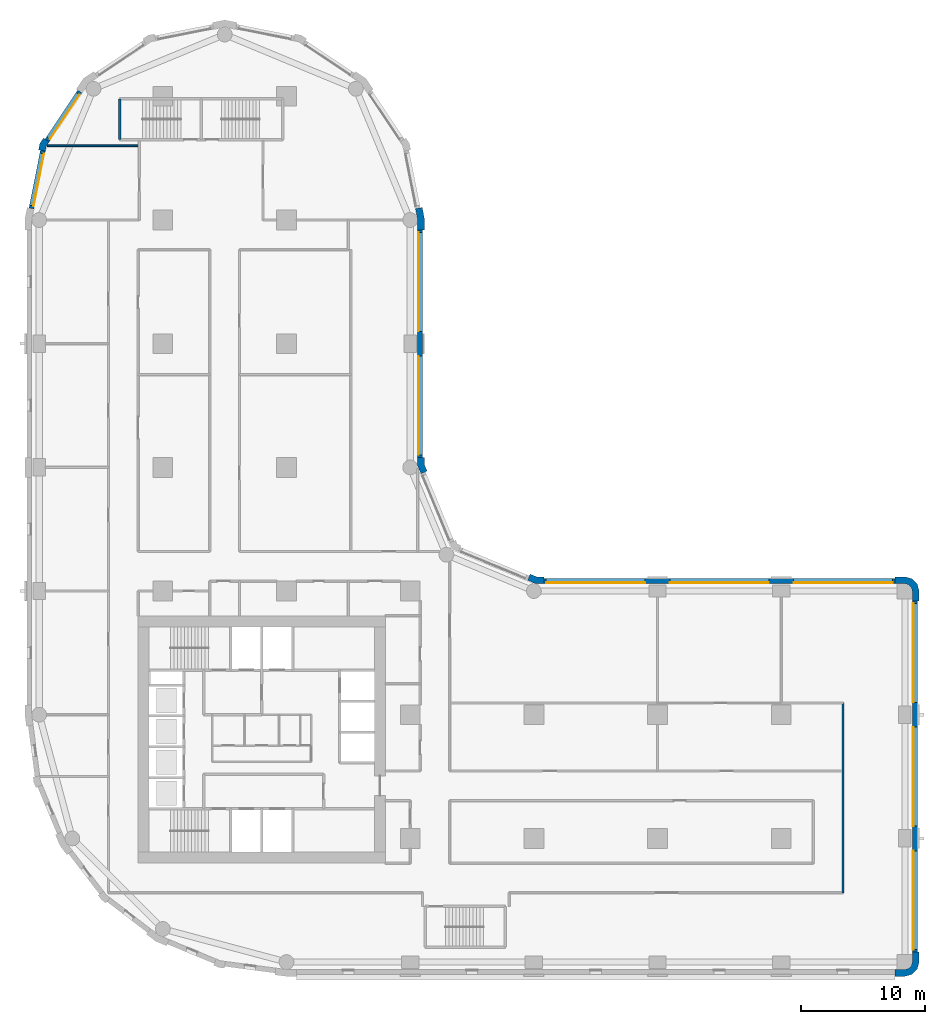
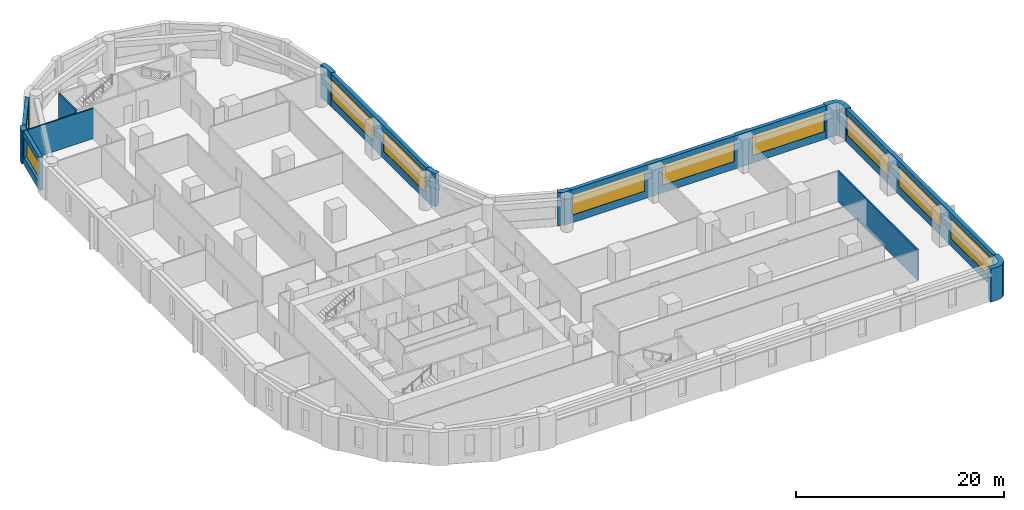
# One storey, part 6 of 10: 14 walls, 10 windows, 10 openings.
"""IFC4 building model written with IfcOpenShell, lengths in metres."""

from ifc_helpers import new_model, si_unit, direction, frame, frame_2d, origin, place, context, subcontext, project, spatial, polyline, rectangle, outline, extrude, material, layer, layer_set, type_object, element, fill, save


model = new_model("IFC4")

# Units and contexts
model_context = context("Model", 3, precision=1e-05, world=origin(), true_north=direction((0.0, 1.0)))
body_context = subcontext(model_context, "Body", "Model", "MODEL_VIEW")
ifc_project = project(units=[si_unit("LENGTHUNIT", "METRE"), si_unit("AREAUNIT", "SQUARE_METRE"), si_unit("VOLUMEUNIT", "CUBIC_METRE"), si_unit("PLANEANGLEUNIT", "RADIAN"), si_unit("MASSUNIT", "GRAM", prefix="KILO")], contexts=[model_context])

# Site, building, storey
site_placement = place(None, origin())
site = spatial("IfcSite", under=ifc_project, at=site_placement, CompositionType="ELEMENT")
building_placement = place(site_placement, origin())
building = spatial("IfcBuilding", under=site, at=building_placement, Name="Qaws Garden Tower", CompositionType="ELEMENT")
storey_placement = place(building_placement, frame((0.0, 0.0, 15.89990234375)))
storey = spatial("IfcBuildingStorey", under=building, at=storey_placement, Name="L03", CompositionType="ELEMENT", Elevation=15.89990234375)

# Walls
ifc_material_1 = material(Name="Clay facing brick masonry", Category="masonry")
ifc_layer_1 = layer(ifc_material_1, 0.550048828125)
ifc_layer_set_1 = layer_set([ifc_layer_1], Name="Clay facing brick masonry")
wall_type_1 = type_object("IfcWallType", Name="Brick corner pier 550 x 2400", PredefinedType="SOLIDWALL", material=ifc_layer_set_1)
placement = place(storey_placement, origin())
element("IfcWall", 1, at=placement, inside=storey, type_object=wall_type_1, Name="E-L03-pier-05", PredefinedType="SOLIDWALL", context=body_context, shape_type="SweptSolid", body=[
    extrude(outline(polyline([(69.199951171875, -1.0), (69.199951171875, -1.14990234375), (70.0, -1.14990234375), (70.574951171875, -0.995849609375), (70.995849609375, -0.574951171875), (71.14990234375, 0.0), (71.14990234375, 0.800048828125), (71.0, 0.800048828125), (70.60009765625, 0.800048828125), (70.60009765625, 0.0), (70.51953125, -0.300048828125), (70.300048828125, -0.51953125), (70.0, -0.60009765625), (69.199951171875, -0.60009765625), (69.199951171875, -1.0)])), origin(), (0.0, 0.0, 1.0), 3.900146484375),
])
element("IfcWall", 2, at=placement, inside=storey, type_object=wall_type_1, Name="E-L03-pier-08", PredefinedType="SOLIDWALL", context=body_context, shape_type="SweptSolid", body=[
    extrude(outline(polyline([(71.0, 29.199951171875), (71.14990234375, 29.199951171875), (71.14990234375, 30.0), (70.995849609375, 30.574951171875), (70.574951171875, 30.995849609375), (70.0, 31.14990234375), (69.199951171875, 31.14990234375), (69.199951171875, 31.0), (69.199951171875, 30.60009765625), (70.0, 30.60009765625), (70.300048828125, 30.51953125), (70.51953125, 30.300048828125), (70.60009765625, 30.0), (70.60009765625, 29.199951171875), (71.0, 29.199951171875)])), origin(), (0.0, 0.0, 1.0), 3.900146484375),
])

# Wall, openings, windows
ifc_material_2 = material(Name="Clay facing brick masonry", Category="masonry")
ifc_layer_2 = layer(ifc_material_2, 0.39990234375)
ifc_layer_set_2 = layer_set([ifc_layer_2], Name="Clay facing brick masonry")
wall_type_2 = type_object("IfcWallType", Name="Brick infill wall 400", PredefinedType="SOLIDWALL", material=ifc_layer_set_2)
wall_3_placement = place(storey_placement, frame((70.800048828125, 0.800048828125, 0.0), z_axis=(0.0, 0.0, 1.0), x_axis=(0.0, 1.0, 0.0)))
wall_3 = element("IfcWall", 3, at=wall_3_placement, inside=storey, type_object=wall_type_2, Name="E-L03-infill-05", PredefinedType="SOLIDWALL", context=body_context, shape_type="SweptSolid", body=[
    extrude(rectangle(XDim=28.39990234375, YDim=0.39990234375, at=frame_2d((14.199951171875, 0.0))), origin(), (0.0, 0.0, 1.0), 3.900146484375),
])
opening_1_placement = place(wall_3_placement, frame((0.199951171875, 0.0, 0.89990234375)))
opening_1 = element("IfcOpeningElement", 4, at=opening_1_placement, cuts=wall_3, Name="Opening W01", PredefinedType="OPENING", context=body_context, shape_type="SweptSolid", body=[
    extrude(rectangle(XDim=8.0, YDim=2.35009765625, at=frame_2d((4.0, 1.175048828125))), frame((0.0, 0.2099609375, 0.0), z_axis=(0.0, -1.0, 0.0), x_axis=(1.0, 0.0, 0.0)), (0.0, 0.0, 1.0), 0.419921875),
])
opening_2_placement = place(wall_3_placement, frame((10.199951171875, 0.0, 0.89990234375)))
opening_2 = element("IfcOpeningElement", 5, at=opening_2_placement, cuts=wall_3, Name="Opening W01", PredefinedType="OPENING", context=body_context, shape_type="SweptSolid", body=[
    extrude(rectangle(XDim=8.0, YDim=2.35009765625, at=frame_2d((4.0, 1.175048828125))), frame((0.0, 0.2099609375, 0.0), z_axis=(0.0, -1.0, 0.0), x_axis=(1.0, 0.0, 0.0)), (0.0, 0.0, 1.0), 0.419921875),
])
opening_3_placement = place(wall_3_placement, frame((20.199951171875, 0.0, 0.89990234375)))
opening_3 = element("IfcOpeningElement", 6, at=opening_3_placement, cuts=wall_3, Name="Opening W01", PredefinedType="OPENING", context=body_context, shape_type="SweptSolid", body=[
    extrude(rectangle(XDim=8.0, YDim=2.35009765625, at=frame_2d((4.0, 1.175048828125))), frame((0.0, 0.2099609375, 0.0), z_axis=(0.0, -1.0, 0.0), x_axis=(1.0, 0.0, 0.0)), (0.0, 0.0, 1.0), 0.419921875),
])
ifc_material_3 = material(Name="Aluminium framed window, clear glazing", Category="aluminium")
window_type_1 = type_object("IfcWindowType", Name="Ribbon window 8000 x 2350", PartitioningType="DOUBLE_PANEL_VERTICAL", PredefinedType="WINDOW", material=ifc_material_3)
window_1_placement = place(opening_1_placement, origin())
window_1 = element("IfcWindow", 7, at=window_1_placement, inside=storey, type_object=window_type_1, Name="E-L03-window-05-0", OverallHeight=2.35009765625, OverallWidth=8.0, PartitioningType="SINGLE_PANEL", PredefinedType="WINDOW", context=body_context, shape_type="SweptSolid", body=[
    extrude(rectangle(XDim=8.0, YDim=2.35009765625, at=frame_2d((4.0, 1.175048828125))), frame((0.0, 0.159912109375, 0.0), z_axis=(0.0, -1.0, 0.0), x_axis=(1.0, 0.0, 0.0)), (0.0, 0.0, 1.0), 0.06005859375),
])
fill(opening_1, window_1)
window_2_placement = place(opening_2_placement, origin())
window_2 = element("IfcWindow", 8, at=window_2_placement, inside=storey, type_object=window_type_1, Name="E-L03-window-06-0", OverallHeight=2.35009765625, OverallWidth=8.0, PartitioningType="SINGLE_PANEL", PredefinedType="WINDOW", context=body_context, shape_type="SweptSolid", body=[
    extrude(rectangle(XDim=8.0, YDim=2.35009765625, at=frame_2d((4.0, 1.175048828125))), frame((0.0, 0.159912109375, 0.0), z_axis=(0.0, -1.0, 0.0), x_axis=(1.0, 0.0, 0.0)), (0.0, 0.0, 1.0), 0.06005859375),
])
fill(opening_2, window_2)
window_3_placement = place(opening_3_placement, origin())
window_3 = element("IfcWindow", 9, at=window_3_placement, inside=storey, type_object=window_type_1, Name="E-L03-window-07-0", OverallHeight=2.35009765625, OverallWidth=8.0, PartitioningType="SINGLE_PANEL", PredefinedType="WINDOW", context=body_context, shape_type="SweptSolid", body=[
    extrude(rectangle(XDim=8.0, YDim=2.35009765625, at=frame_2d((4.0, 1.175048828125))), frame((0.0, 0.159912109375, 0.0), z_axis=(0.0, -1.0, 0.0), x_axis=(1.0, 0.0, 0.0)), (0.0, 0.0, 1.0), 0.06005859375),
])
fill(opening_3, window_3)

wall_4_placement = place(storey_placement, frame((69.199951171875, 30.800048828125, 0.0), z_axis=(0.0, 0.0, 1.0), x_axis=(-1.0, 0.0, 0.0)))
wall_4 = element("IfcWall", 10, at=wall_4_placement, inside=storey, type_object=wall_type_2, Name="E-L03-infill-08", PredefinedType="SOLIDWALL", context=body_context, shape_type="SweptSolid", body=[
    extrude(rectangle(XDim=28.39990234375, YDim=0.39990234375, at=frame_2d((14.199951171875, 0.0))), origin(), (0.0, 0.0, 1.0), 3.900146484375),
])
opening_4_placement = place(wall_4_placement, frame((0.199951171875, 0.0, 0.89990234375)))
opening_4 = element("IfcOpeningElement", 11, at=opening_4_placement, cuts=wall_4, Name="Opening W01", PredefinedType="OPENING", context=body_context, shape_type="SweptSolid", body=[
    extrude(rectangle(XDim=8.0, YDim=2.35009765625, at=frame_2d((4.0, 1.175048828125))), frame((0.0, 0.2099609375, 0.0), z_axis=(0.0, -1.0, 0.0), x_axis=(1.0, 0.0, 0.0)), (0.0, 0.0, 1.0), 0.419921875),
])
opening_5_placement = place(wall_4_placement, frame((10.199951171875, 0.0, 0.89990234375)))
opening_5 = element("IfcOpeningElement", 12, at=opening_5_placement, cuts=wall_4, Name="Opening W01", PredefinedType="OPENING", context=body_context, shape_type="SweptSolid", body=[
    extrude(rectangle(XDim=8.0, YDim=2.35009765625, at=frame_2d((4.0, 1.175048828125))), frame((0.0, 0.2099609375, 0.0), z_axis=(0.0, -1.0, 0.0), x_axis=(1.0, 0.0, 0.0)), (0.0, 0.0, 1.0), 0.419921875),
])
opening_6_placement = place(wall_4_placement, frame((20.199951171875, 0.0, 0.89990234375)))
opening_6 = element("IfcOpeningElement", 13, at=opening_6_placement, cuts=wall_4, Name="Opening W01", PredefinedType="OPENING", context=body_context, shape_type="SweptSolid", body=[
    extrude(rectangle(XDim=8.0, YDim=2.35009765625, at=frame_2d((4.0, 1.175048828125))), frame((0.0, 0.2099609375, 0.0), z_axis=(0.0, -1.0, 0.0), x_axis=(1.0, 0.0, 0.0)), (0.0, 0.0, 1.0), 0.419921875),
])
window_4_placement = place(opening_4_placement, origin())
window_4 = element("IfcWindow", 14, at=window_4_placement, inside=storey, type_object=window_type_1, Name="E-L03-window-08-0", OverallHeight=2.35009765625, OverallWidth=8.0, PartitioningType="SINGLE_PANEL", PredefinedType="WINDOW", context=body_context, shape_type="SweptSolid", body=[
    extrude(rectangle(XDim=8.0, YDim=2.35009765625, at=frame_2d((4.0, 1.175048828125))), frame((0.0, 0.159912109375, 0.0), z_axis=(0.0, -1.0, 0.0), x_axis=(1.0, 0.0, 0.0)), (0.0, 0.0, 1.0), 0.06005859375),
])
fill(opening_4, window_4)
window_5_placement = place(opening_5_placement, origin())
window_5 = element("IfcWindow", 15, at=window_5_placement, inside=storey, type_object=window_type_1, Name="E-L03-window-09-0", OverallHeight=2.35009765625, OverallWidth=8.0, PartitioningType="SINGLE_PANEL", PredefinedType="WINDOW", context=body_context, shape_type="SweptSolid", body=[
    extrude(rectangle(XDim=8.0, YDim=2.35009765625, at=frame_2d((4.0, 1.175048828125))), frame((0.0, 0.159912109375, 0.0), z_axis=(0.0, -1.0, 0.0), x_axis=(1.0, 0.0, 0.0)), (0.0, 0.0, 1.0), 0.06005859375),
])
fill(opening_5, window_5)
window_6_placement = place(opening_6_placement, origin())
window_6 = element("IfcWindow", 16, at=window_6_placement, inside=storey, type_object=window_type_1, Name="E-L03-window-10-0", OverallHeight=2.35009765625, OverallWidth=8.0, PartitioningType="SINGLE_PANEL", PredefinedType="WINDOW", context=body_context, shape_type="SweptSolid", body=[
    extrude(rectangle(XDim=8.0, YDim=2.35009765625, at=frame_2d((4.0, 1.175048828125))), frame((0.0, 0.159912109375, 0.0), z_axis=(0.0, -1.0, 0.0), x_axis=(1.0, 0.0, 0.0)), (0.0, 0.0, 1.0), 0.06005859375),
])
fill(opening_6, window_6)

wall_5_placement = place(storey_placement, frame((30.800048828125, 40.800048828125, 0.0), z_axis=(0.0, 0.0, 1.0), x_axis=(0.0, 1.0, 0.0)))
wall_5 = element("IfcWall", 17, at=wall_5_placement, inside=storey, type_object=wall_type_2, Name="E-L03-infill-13", PredefinedType="SOLIDWALL", context=body_context, shape_type="SweptSolid", body=[
    extrude(rectangle(XDim=18.39990234375, YDim=0.39990234375, at=frame_2d((9.199951171875, 0.0))), origin(), (0.0, 0.0, 1.0), 3.900146484375),
])
opening_7_placement = place(wall_5_placement, frame((0.199951171875, 0.0, 0.89990234375)))
opening_7 = element("IfcOpeningElement", 18, at=opening_7_placement, cuts=wall_5, Name="Opening W01", PredefinedType="OPENING", context=body_context, shape_type="SweptSolid", body=[
    extrude(rectangle(XDim=8.0, YDim=2.35009765625, at=frame_2d((4.0, 1.175048828125))), frame((0.0, 0.2099609375, 0.0), z_axis=(0.0, -1.0, 0.0), x_axis=(1.0, 0.0, 0.0)), (0.0, 0.0, 1.0), 0.419921875),
])
opening_8_placement = place(wall_5_placement, frame((10.199951171875, 0.0, 0.89990234375)))
opening_8 = element("IfcOpeningElement", 19, at=opening_8_placement, cuts=wall_5, Name="Opening W01", PredefinedType="OPENING", context=body_context, shape_type="SweptSolid", body=[
    extrude(rectangle(XDim=8.0, YDim=2.35009765625, at=frame_2d((4.0, 1.175048828125))), frame((0.0, 0.2099609375, 0.0), z_axis=(0.0, -1.0, 0.0), x_axis=(1.0, 0.0, 0.0)), (0.0, 0.0, 1.0), 0.419921875),
])
window_7_placement = place(opening_7_placement, origin())
window_7 = element("IfcWindow", 20, at=window_7_placement, inside=storey, type_object=window_type_1, Name="E-L03-window-13-0", OverallHeight=2.35009765625, OverallWidth=8.0, PartitioningType="SINGLE_PANEL", PredefinedType="WINDOW", context=body_context, shape_type="SweptSolid", body=[
    extrude(rectangle(XDim=8.0, YDim=2.35009765625, at=frame_2d((4.0, 1.175048828125))), frame((0.0, 0.159912109375, 0.0), z_axis=(0.0, -1.0, 0.0), x_axis=(1.0, 0.0, 0.0)), (0.0, 0.0, 1.0), 0.06005859375),
])
fill(opening_7, window_7)
window_8_placement = place(opening_8_placement, origin())
window_8 = element("IfcWindow", 21, at=window_8_placement, inside=storey, type_object=window_type_1, Name="E-L03-window-14-0", OverallHeight=2.35009765625, OverallWidth=8.0, PartitioningType="SINGLE_PANEL", PredefinedType="WINDOW", context=body_context, shape_type="SweptSolid", body=[
    extrude(rectangle(XDim=8.0, YDim=2.35009765625, at=frame_2d((4.0, 1.175048828125))), frame((0.0, 0.159912109375, 0.0), z_axis=(0.0, -1.0, 0.0), x_axis=(1.0, 0.0, 0.0)), (0.0, 0.0, 1.0), 0.06005859375),
])
fill(opening_8, window_8)

# Wall, opening, window
wall_6_placement = place(storey_placement, frame((3.28369140625, 70.385986328125, 0.0), z_axis=(0.0, 0.0, 1.0), x_axis=(-0.555541552266, -0.831488775454, 0.0)))
wall_6 = element("IfcWall", 22, at=wall_6_placement, inside=storey, type_object=wall_type_2, Name="E-L03-infill-21", PredefinedType="SOLIDWALL", context=body_context, shape_type="SweptSolid", body=[
    extrude(rectangle(XDim=4.752685546875, YDim=0.39990234375, at=frame_2d((2.37646484375, 0.0))), origin(), (0.0, 0.0, 1.0), 3.900146484375),
])
opening_9_placement = place(wall_6_placement, frame((0.226318359375, 0.0, 0.89990234375)))
opening_9 = element("IfcOpeningElement", 23, at=opening_9_placement, cuts=wall_6, Name="Opening W06", PredefinedType="OPENING", context=body_context, shape_type="SweptSolid", body=[
    extrude(rectangle(XDim=4.300048828125, YDim=2.35009765625, at=frame_2d((2.14990234375, 1.175048828125))), frame((0.0, 0.2099609375, 0.0), z_axis=(0.0, -1.0, 0.0), x_axis=(1.0, 0.0, 0.0)), (0.0, 0.0, 1.0), 0.419921875),
])
ifc_material_4 = material(Name="Aluminium framed window, clear glazing", Category="aluminium")
window_type_2 = type_object("IfcWindowType", Name="Ribbon window 4300 x 2350", PartitioningType="DOUBLE_PANEL_VERTICAL", PredefinedType="WINDOW", material=ifc_material_4)
window_9_placement = place(opening_9_placement, origin())
window_9 = element("IfcWindow", 24, at=window_9_placement, inside=storey, type_object=window_type_2, Name="E-L03-window-21-0", OverallHeight=2.35009765625, OverallWidth=4.300048828125, PartitioningType="SINGLE_PANEL", PredefinedType="WINDOW", context=body_context, shape_type="SweptSolid", body=[
    extrude(rectangle(XDim=4.300048828125, YDim=2.35009765625, at=frame_2d((2.14990234375, 1.175048828125))), frame((0.0, 0.159912109375, 0.0), z_axis=(0.0, -1.0, 0.0), x_axis=(1.0, 0.0, 0.0)), (0.0, 0.0, 1.0), 0.06005859375),
])
fill(opening_9, window_9)

wall_7_placement = place(storey_placement, frame((0.298583984375, 65.60205078125, 0.0), z_axis=(0.0, 0.0, 1.0), x_axis=(-0.195098533057, -0.98078364709, 0.0)))
wall_7 = element("IfcWall", 25, at=wall_7_placement, inside=storey, type_object=wall_type_2, Name="E-L03-infill-22", PredefinedType="SOLIDWALL", context=body_context, shape_type="SweptSolid", body=[
    extrude(rectangle(XDim=4.752685546875, YDim=0.39990234375, at=frame_2d((2.37646484375, 0.0))), origin(), (0.0, 0.0, 1.0), 3.900146484375),
])
opening_10_placement = place(wall_7_placement, frame((0.226318359375, 0.0, 0.89990234375)))
opening_10 = element("IfcOpeningElement", 26, at=opening_10_placement, cuts=wall_7, Name="Opening W06", PredefinedType="OPENING", context=body_context, shape_type="SweptSolid", body=[
    extrude(rectangle(XDim=4.300048828125, YDim=2.35009765625, at=frame_2d((2.14990234375, 1.175048828125))), frame((0.0, 0.2099609375, 0.0), z_axis=(0.0, -1.0, 0.0), x_axis=(1.0, 0.0, 0.0)), (0.0, 0.0, 1.0), 0.419921875),
])
window_10_placement = place(opening_10_placement, origin())
window_10 = element("IfcWindow", 27, at=window_10_placement, inside=storey, type_object=window_type_2, Name="E-L03-window-22-0", OverallHeight=2.35009765625, OverallWidth=4.300048828125, PartitioningType="SINGLE_PANEL", PredefinedType="WINDOW", context=body_context, shape_type="SweptSolid", body=[
    extrude(rectangle(XDim=4.300048828125, YDim=2.35009765625, at=frame_2d((2.14990234375, 1.175048828125))), frame((0.0, 0.159912109375, 0.0), z_axis=(0.0, -1.0, 0.0), x_axis=(1.0, 0.0, 0.0)), (0.0, 0.0, 1.0), 0.06005859375),
])
fill(opening_10, window_10)

# Walls
ifc_material_5 = material(Name="Clay facing brick masonry", Category="masonry")
ifc_layer_3 = layer(ifc_material_5, 0.550048828125)
ifc_layer_set_3 = layer_set([ifc_layer_3], Name="Clay facing brick masonry")
wall_type_3 = type_object("IfcWallType", Name="Brick kink pier 550 x 600", PredefinedType="SOLIDWALL", material=ifc_layer_set_3)
element("IfcWall", 28, at=placement, inside=storey, type_object=wall_type_3, Name="E-L03-pier-22", PredefinedType="SOLIDWALL", context=body_context, shape_type="SweptSolid", body=[
    extrude(outline(polyline([(0.47705078125, 66.545166015625), (0.352294921875, 66.628662109375), (0.05859375, 66.18896484375), (-0.044677734375, 65.67041015625), (0.1025390625, 65.64111328125), (0.494873046875, 65.56298828125), (0.57666015625, 65.974365234375), (0.8095703125, 66.322998046875), (0.47705078125, 66.545166015625)])), origin(), (0.0, 0.0, 1.0), 3.900146484375),
])
ifc_material_6 = material(Name="Clay facing brick masonry", Category="masonry")
ifc_layer_4 = layer(ifc_material_6, 0.550048828125)
ifc_layer_set_4 = layer_set([ifc_layer_4], Name="Clay facing brick masonry")
wall_type_4 = type_object("IfcWallType", Name="Brick pier 550 x 1600", PredefinedType="SOLIDWALL", material=ifc_layer_set_4)
element("IfcWall", 29, at=placement, inside=storey, type_object=wall_type_4, Name="E-L03-pier-11", PredefinedType="SOLIDWALL", context=body_context, shape_type="SweptSolid", body=[
    extrude(outline(polyline([(40.800048828125, 31.0), (40.800048828125, 31.14990234375), (40.228759765625, 31.14990234375), (39.700927734375, 31.36865234375), (39.6435546875, 31.22998046875), (39.490478515625, 30.860595703125), (40.119384765625, 30.60009765625), (40.800048828125, 30.60009765625), (40.800048828125, 31.0)])), origin(), (0.0, 0.0, 1.0), 3.900146484375),
])
element("IfcWall", 30, at=placement, inside=storey, type_object=wall_type_4, Name="E-L03-pier-13", PredefinedType="SOLIDWALL", context=body_context, shape_type="SweptSolid", body=[
    extrude(outline(polyline([(31.22998046875, 39.6435546875), (31.36865234375, 39.700927734375), (31.14990234375, 40.228759765625), (31.14990234375, 40.800048828125), (31.0, 40.800048828125), (30.60009765625, 40.800048828125), (30.60009765625, 40.119384765625), (30.860595703125, 39.490478515625), (31.22998046875, 39.6435546875)])), origin(), (0.0, 0.0, 1.0), 3.900146484375),
])
element("IfcWall", 31, at=placement, inside=storey, type_object=wall_type_4, Name="E-L03-pier-15", PredefinedType="SOLIDWALL", context=body_context, shape_type="SweptSolid", body=[
    extrude(outline(polyline([(31.0, 59.199951171875), (31.14990234375, 59.199951171875), (31.14990234375, 60.11328125), (30.971923828125, 61.009033203125), (30.82470703125, 60.979736328125), (30.432373046875, 60.901611328125), (30.60009765625, 60.05908203125), (30.60009765625, 59.199951171875), (31.0, 59.199951171875)])), origin(), (0.0, 0.0, 1.0), 3.900146484375),
])
ifc_material_7 = material(Name="Concrete C80", Category="concrete")
ifc_layer_5 = layer(ifc_material_7, 0.199951171875)
ifc_layer_set_5 = layer_set([ifc_layer_5], Name="Concrete C80")
wall_type_5 = type_object("IfcWallType", Name="Core shaft wall 200 C80", PredefinedType="SHEAR", material=ifc_layer_set_5)
wall_12_placement = place(storey_placement, frame((6.5, 66.5, 0.0), z_axis=(0.0, 0.0, 1.0), x_axis=(0.0, 1.0, 0.0)))
element("IfcWall", 32, at=wall_12_placement, inside=storey, type_object=wall_type_5, Name="Shaft wall", PredefinedType="SHEAR", context=body_context, shape_type="SweptSolid", body=[
    extrude(rectangle(XDim=3.300048828125, YDim=0.199951171875, at=frame_2d((1.64990234375, 0.0))), origin(), (0.0, 0.0, 1.0), 3.580078125),
])
ifc_material_8 = material(Name="Gypsum board partition")
ifc_layer_6 = layer(ifc_material_8, 0.14990234375)
ifc_layer_set_6 = layer_set([ifc_layer_6], Name="Gypsum board partition")
wall_type_6 = type_object("IfcWallType", Name="PARTITION 150 EI 60", PredefinedType="PARTITIONING", material=ifc_layer_set_6)
wall_13_placement = place(storey_placement, frame((65.0, 5.60009765625, 0.0), z_axis=(0.0, 0.0, 1.0), x_axis=(0.0, 1.0, 0.0)))
element("IfcWall", 33, at=wall_13_placement, inside=storey, type_object=wall_type_6, Name="O-L03-wall-027", PredefinedType="PARTITIONING", context=body_context, shape_type="SweptSolid", body=[
    extrude(rectangle(XDim=15.349853515625, YDim=0.14990234375, at=frame_2d((7.6748046875, 0.0))), origin(), (0.0, 0.0, 1.0), 3.580078125),
])
wall_14_placement = place(storey_placement, frame((0.643798828125, 66.0, 0.0), z_axis=(0.0, 0.0, 1.0), x_axis=(1.0, 0.0, 0.0)))
element("IfcWall", 34, at=wall_14_placement, inside=storey, type_object=wall_type_6, Name="O-L03-wall-058", PredefinedType="PARTITIONING", context=body_context, shape_type="SweptSolid", body=[
    extrude(rectangle(XDim=7.456298828125, YDim=0.14990234375, at=frame_2d((3.72802734375, 0.0))), origin(), (0.0, 0.0, 1.0), 3.580078125),
])

save(model, "model.ifc")
